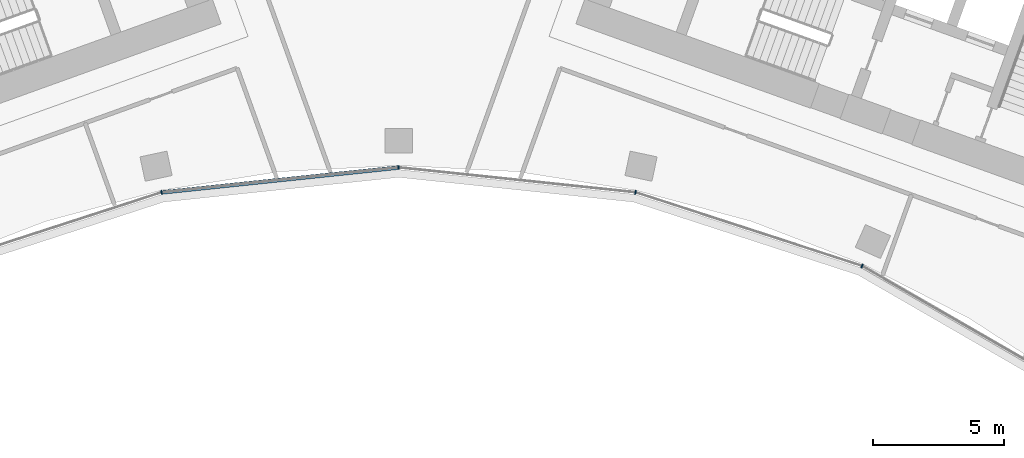
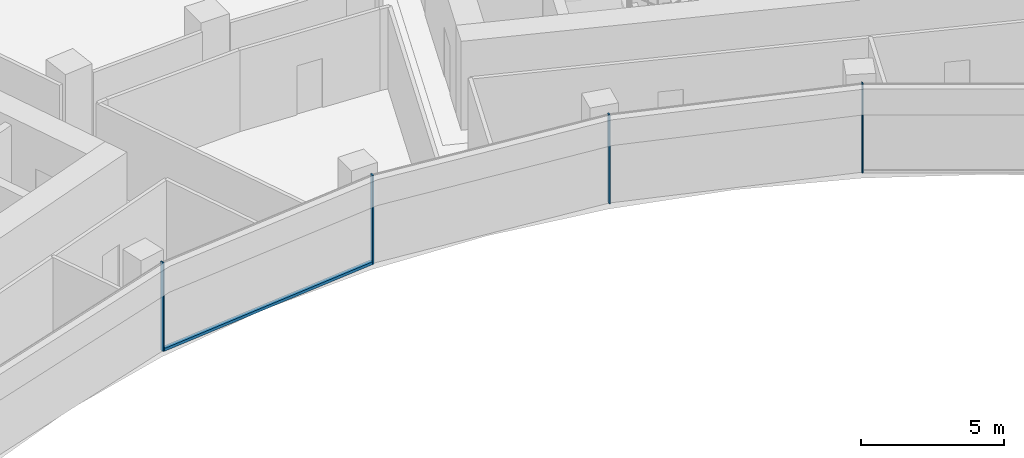
# One storey, part 4 of 19: 5 members, 1 element without a shape of its own.
"""IFC4 building model written with IfcOpenShell, lengths in metres."""

import ifcopenshell
import ifcopenshell.guid

model = None  # the IFC model being written
_history = None  # IfcOwnerHistory: only IFC2X3 demands one
_inside = {}  # id of a spatial element -> (the spatial element, [elements in it])
_under = {}  # id of a project, library or spatial element -> (it, [spatial elements below it])
_declared = {}  # id of a project -> (the project, [libraries it declares])
_typed = {}  # id of a type object -> (the type object, [elements of that type])
_made_of = {}  # id of a material, layer set ... -> (it, [elements and type objects made of it])


def new_model(schema):
    """Start an empty IFC model of exactly this schema.

    Asked for "IFC4X3", IfcOpenShell would pick the latest addendum, in which some entities
    have other attributes; the version numbers below select the first issue.
    IFC2X3 requires an IfcOwnerHistory on every rooted entity: one is made here for all.
    """
    global model, _history
    if schema == "IFC4X3":
        model = ifcopenshell.file(schema_version=(4, 3, 0, 0))
    else:
        model = ifcopenshell.file(schema=schema)
    _inside.clear()
    _under.clear()
    _declared.clear()
    _typed.clear()
    _made_of.clear()
    _history = None
    if model.schema == "IFC2X3":
        org = make("IfcOrganization", Name="unknown")
        user = make(
            "IfcPersonAndOrganization",
            ThePerson=make("IfcPerson", FamilyName="unknown"),
            TheOrganization=org,
        )
        app = make(
            "IfcApplication",
            ApplicationDeveloper=org,
            Version="unknown",
            ApplicationFullName="unknown",
            ApplicationIdentifier="unknown",
        )
        _history = make(
            "IfcOwnerHistory",
            OwningUser=user,
            OwningApplication=app,
            ChangeAction="ADDED",
            CreationDate=0,
        )
    return model


def make(cls, **values):
    """One entity of the class cls with the attributes given. An attribute that is None is left unset."""
    return model.create_entity(
        cls, **{name: value for name, value in values.items() if value is not None}
    )


def rooted(cls, **values):
    """An entity with a GlobalId (a new one), such as an element, a storey or a relation."""
    return make(cls, GlobalId=ifcopenshell.guid.new(), OwnerHistory=_history, **values)


def si_unit(unit_type, name, prefix=None):
    """IfcSIUnit, for example si_unit("LENGTHUNIT", "METRE", prefix="MILLI")."""
    return make("IfcSIUnit", UnitType=unit_type, Prefix=prefix, Name=name)


def assignment(units):
    """IfcUnitAssignment: the units of a project."""
    return None if units is None else make("IfcUnitAssignment", Units=units)


def point(xyz):
    """IfcCartesianPoint."""
    return None if xyz is None else make("IfcCartesianPoint", Coordinates=xyz)


def direction(xyz):
    """IfcDirection."""
    return None if xyz is None else make("IfcDirection", DirectionRatios=xyz)


def frame(location, z_axis=None, x_axis=None):
    """IfcAxis2Placement3D, a coordinate frame: its origin and axes. An axis left out is left unset."""
    return make(
        "IfcAxis2Placement3D",
        Location=point(location),
        Axis=direction(z_axis),
        RefDirection=direction(x_axis),
    )


def frame_2d(location, x_axis=None):
    """IfcAxis2Placement2D, a coordinate frame in the plane: its origin and x axis."""
    return make(
        "IfcAxis2Placement2D", Location=point(location), RefDirection=direction(x_axis)
    )


def origin():
    """The frame at (0, 0, 0) with its axes left unset."""
    return frame((0.0, 0.0, 0.0))


def origin_2d():
    """The frame at (0, 0) in the plane with its x axis left unset."""
    return frame_2d((0.0, 0.0))


def place(relative_to, where):
    """IfcLocalPlacement: puts the frame where relative to a parent placement (None: the world)."""
    return make(
        "IfcLocalPlacement", PlacementRelTo=relative_to, RelativePlacement=where
    )


def context(
    kind, dimensions, precision=None, world=None, true_north=None, identifier=None
):
    """IfcGeometricRepresentationContext, for example the 3D "Model" context."""
    return make(
        "IfcGeometricRepresentationContext",
        ContextIdentifier=identifier,
        ContextType=kind,
        CoordinateSpaceDimension=dimensions,
        Precision=precision,
        WorldCoordinateSystem=world,
        TrueNorth=true_north,
    )


def subcontext(parent, identifier, kind, view, scale=None):
    """IfcGeometricRepresentationSubContext, for example "Body" below "Model"."""
    return make(
        "IfcGeometricRepresentationSubContext",
        ContextIdentifier=identifier,
        ContextType=kind,
        ParentContext=parent,
        TargetScale=scale,
        TargetView=view,
    )


def project(units=None, contexts=None):
    """IfcProject with its units and contexts."""
    return rooted(
        "IfcProject",
        Name="project",
        RepresentationContexts=contexts,
        UnitsInContext=assignment(units),
    )


def spatial(cls, under=None, at=None, **own):
    """A site, building, storey or space (cls), placed at a placement, below another one or the project."""
    s = rooted(cls, ObjectPlacement=at, **own)
    if under is not None:
        _under.setdefault(under.id(), (under, []))[1].append(s)
    return s


def profile(cls, at=None, kind="AREA", **sizes):
    """A parametric profile (cls). Its sizes go by their IFC names, for example OverallWidth=200.0."""
    return make(cls, ProfileType=kind, Position=at, **sizes)


def rectangle(**sizes):
    """IfcRectangleProfileDef."""
    return profile("IfcRectangleProfileDef", **sizes)


def extrude(swept, where, along, depth):
    """IfcExtrudedAreaSolid: the profile swept, set in the frame where, extruded along a direction by depth."""
    return make(
        "IfcExtrudedAreaSolid",
        SweptArea=swept,
        Position=where,
        ExtrudedDirection=direction(along),
        Depth=depth,
    )


def shape(context_of_items, identifier, shape_type, items):
    """IfcShapeRepresentation: the items that make up one representation, for example the "Body"."""
    return make(
        "IfcShapeRepresentation",
        ContextOfItems=context_of_items,
        RepresentationIdentifier=identifier,
        RepresentationType=shape_type,
        Items=items,
    )


def material(Name=None, Category=None):
    """IfcMaterial."""
    return make("IfcMaterial", Name=Name, Category=Category)


def layer(
    of_material, thickness, ventilated=None, Name=None, Category=None, Priority=None
):
    """IfcMaterialLayer: one layer of a wall or slab, of a material (None: an air gap)."""
    return make(
        "IfcMaterialLayer",
        Material=of_material,
        LayerThickness=thickness,
        IsVentilated=ventilated,
        Name=Name,
        Category=Category,
        Priority=Priority,
    )


def layer_set(layers, Name=None):
    """IfcMaterialLayerSet."""
    return make("IfcMaterialLayerSet", MaterialLayers=layers, LayerSetName=Name)


def material_profile(
    of_material, cross_section, Name=None, Category=None, Priority=None
):
    """IfcMaterialProfile: a cross section and its material."""
    return make(
        "IfcMaterialProfile",
        Name=Name,
        Material=of_material,
        Profile=cross_section,
        Priority=Priority,
        Category=Category,
    )


def profile_set(profiles, Name=None, composite=None):
    """IfcMaterialProfileSet."""
    return make(
        "IfcMaterialProfileSet",
        Name=Name,
        MaterialProfiles=profiles,
        CompositeProfile=composite,
    )


def made_of(thing, what):
    """Note that an element or type object is made of a material, layer set ...; save() writes the relation."""
    if what is not None:
        _made_of.setdefault(what.id(), (what, []))[1].append(thing)
    return thing


def type_object(cls, material=None, **own):
    """A type object (cls), such as IfcWallType, which elements share."""
    return made_of(rooted(cls, **own), material)


def element(
    cls,
    number,
    at=None,
    inside=None,
    cuts=None,
    type_object=None,
    material=None,
    context=None,
    identifier="Body",
    shape_type=None,
    held_by="IfcProductDefinitionShape",
    body=None,
    shapes=None,
    **own,
):
    """One element of the class cls, such as IfcWall. Its Tag is "e" and its number.

    at: its placement. inside: the storey or other place that contains it. cuts: it is an
    opening in that element (IfcRelVoidsElement). A single representation is given by context,
    identifier, shape_type and body (its items); several are given by shapes. held_by: the class
    of the entity that holds the representations. save() writes the other relations.
    """
    e = rooted(cls, Tag="e%d" % number, ObjectPlacement=at, **own)
    if body is not None:
        shapes = [shape(context, identifier, shape_type, body)]
    if shapes is not None:
        e.Representation = make(held_by, Representations=shapes)
    if inside is not None:
        _inside.setdefault(inside.id(), (inside, []))[1].append(e)
    if cuts is not None:
        rooted(
            "IfcRelVoidsElement", RelatingBuildingElement=cuts, RelatedOpeningElement=e
        )
    if type_object is not None:
        _typed.setdefault(type_object.id(), (type_object, []))[1].append(e)
    return made_of(e, material)


def aggregate(whole, parts):
    """IfcRelAggregates: a whole, such as a stair, and the parts it consists of."""
    return rooted("IfcRelAggregates", RelatingObject=whole, RelatedObjects=parts)


def save(model, path):
    """Write the relations noted so far, then the file.

    IfcRelAggregates (storeys below a building ...), IfcRelContainedInSpatialStructure (elements
    in a storey), IfcRelDefinesByType, IfcRelAssociatesMaterial and IfcRelDeclares: one each for
    every whole, place, type object, material and project.
    """
    for whole, parts in _under.values():
        aggregate(whole, parts)
    for where, things in _inside.values():
        rooted(
            "IfcRelContainedInSpatialStructure",
            RelatedElements=things,
            RelatingStructure=where,
        )
    for kind, things in _typed.values():
        rooted("IfcRelDefinesByType", RelatedObjects=things, RelatingType=kind)
    for what, things in _made_of.values():
        rooted("IfcRelAssociatesMaterial", RelatedObjects=things, RelatingMaterial=what)
    for by, libraries in _declared.values():
        rooted("IfcRelDeclares", RelatingContext=by, RelatedDefinitions=libraries)
    model.write(path)


model = new_model("IFC4")

# Units and contexts
model_context = context("Model", 3, precision=1e-05, world=origin(), true_north=direction((0.0, 1.0)))
body_context = subcontext(model_context, "Body", "Model", "MODEL_VIEW")
ifc_project = project(units=[si_unit("LENGTHUNIT", "METRE"), si_unit("AREAUNIT", "SQUARE_METRE"), si_unit("VOLUMEUNIT", "CUBIC_METRE"), si_unit("PLANEANGLEUNIT", "RADIAN"), si_unit("MASSUNIT", "GRAM", prefix="KILO")], contexts=[model_context])

# Site, building, storey
site_placement = place(None, origin())
site = spatial("IfcSite", under=ifc_project, at=site_placement, CompositionType="ELEMENT")
building_placement = place(site_placement, origin())
building = spatial("IfcBuilding", under=site, at=building_placement, Name="Stone Belt Terrace Tower", CompositionType="ELEMENT")
storey_placement = place(building_placement, frame((0.0, 0.0, 227.60009765625)))
storey = spatial("IfcBuildingStorey", under=building, at=storey_placement, Name="L55", CompositionType="ELEMENT", Elevation=227.60009765625)

# Curtain wall, members
ifc_material = material(Name="Aluminium 6063-T6 anodised frame", Category="aluminium")
ifc_layer = layer(ifc_material, 0.14990234375)
ifc_layer_set = layer_set([ifc_layer], Name="CW-B unitised concave-face curtain wall")
curtain_wall_type = type_object("IfcCurtainWallType", Name="CW-B unitised concave-face curtain wall", PredefinedType="NOTDEFINED", material=ifc_layer_set)
curtain_wall_placement = place(storey_placement, origin())
curtain_wall = element("IfcCurtainWall", 1, at=curtain_wall_placement, inside=storey, type_object=curtain_wall_type, Name="CW-B concave face L55", PredefinedType="NOTDEFINED")
ifc_material_profile_1 = material_profile(ifc_material, rectangle(XDim=0.14990234375, YDim=0.050048828125, at=origin_2d()), Name="Aluminium 6063-T6 50x150")
ifc_profile_set_1 = profile_set([ifc_material_profile_1], Name="Aluminium 6063-T6 anodised frame")
member_type_1 = type_object("IfcMemberType", Name="CW-B mullion 50 x 150", PredefinedType="MULLION", material=ifc_profile_set_1)
member_1_placement = place(storey_placement, frame((-9.028564453125, 42.4755859375, 0.0), z_axis=(0.0, 0.0, 1.0), x_axis=(-0.207911690818, 0.978147600734, 0.0)))
member_1 = element("IfcMember", 2, at=member_1_placement, type_object=member_type_1, Name="CW-B mullion 4", PredefinedType="MULLION", context=body_context, shape_type="SweptSolid", body=[
    extrude(rectangle(XDim=0.14990234375, YDim=0.050048828125, at=origin_2d()), origin(), (0.0, 0.0, 1.0), 3.7998046875),
])
member_2_placement = place(storey_placement, frame((0.0, 43.424560546875, 0.0), z_axis=(0.0, 0.0, 1.0), x_axis=(0.0, 1.0, 0.0)))
member_2 = element("IfcMember", 3, at=member_2_placement, type_object=member_type_1, Name="CW-B mullion 5", PredefinedType="MULLION", context=body_context, shape_type="SweptSolid", body=[
    extrude(rectangle(XDim=0.14990234375, YDim=0.050048828125, at=origin_2d()), origin(), (0.0, 0.0, 1.0), 3.7998046875),
])
member_3_placement = place(storey_placement, frame((9.028564453125, 42.4755859375, 0.0), z_axis=(0.0, 0.0, 1.0), x_axis=(0.207911690818, 0.978147600734, 0.0)))
member_3 = element("IfcMember", 4, at=member_3_placement, type_object=member_type_1, Name="CW-B mullion 6", PredefinedType="MULLION", context=body_context, shape_type="SweptSolid", body=[
    extrude(rectangle(XDim=0.14990234375, YDim=0.050048828125, at=origin_2d()), origin(), (0.0, 0.0, 1.0), 3.7998046875),
])
member_4_placement = place(storey_placement, frame((17.662353515625, 39.67041015625, 0.0), z_axis=(0.0, 0.0, 1.0), x_axis=(0.406736643076, 0.913545457643, 0.0)))
member_4 = element("IfcMember", 5, at=member_4_placement, type_object=member_type_1, Name="CW-B mullion 7", PredefinedType="MULLION", context=body_context, shape_type="SweptSolid", body=[
    extrude(rectangle(XDim=0.14990234375, YDim=0.050048828125, at=origin_2d()), origin(), (0.0, 0.0, 1.0), 3.7998046875),
])
ifc_material_profile_2 = material_profile(ifc_material, rectangle(XDim=0.14990234375, YDim=0.1201171875, at=origin_2d()), Name="Aluminium 6063-T6 150x120")
ifc_profile_set_2 = profile_set([ifc_material_profile_2], Name="Aluminium 6063-T6 anodised frame")
member_type_2 = type_object("IfcMemberType", Name="CW-B transom 120 x 150", PredefinedType="USERDEFINED", material=ifc_profile_set_2)
member_5_placement = place(storey_placement, frame((-8.995849609375, 42.47900390625, 0.059814453125), z_axis=(0.994521323407, 0.104533904969, 0.0), x_axis=(-0.104533904969, 0.994521323407, 0.0)))
member_5 = element("IfcMember", 6, at=member_5_placement, type_object=member_type_2, Name="CW-B transom 4.1", ObjectType="TRANSOM", PredefinedType="USERDEFINED", context=body_context, shape_type="SweptSolid", body=[
    extrude(rectangle(XDim=0.14990234375, YDim=0.1201171875, at=origin_2d()), origin(), (0.0, 0.0, 1.0), 9.0126953125),
])
aggregate(curtain_wall, [member_1, member_2, member_3, member_4, member_5])

save(model, "model.ifc")
